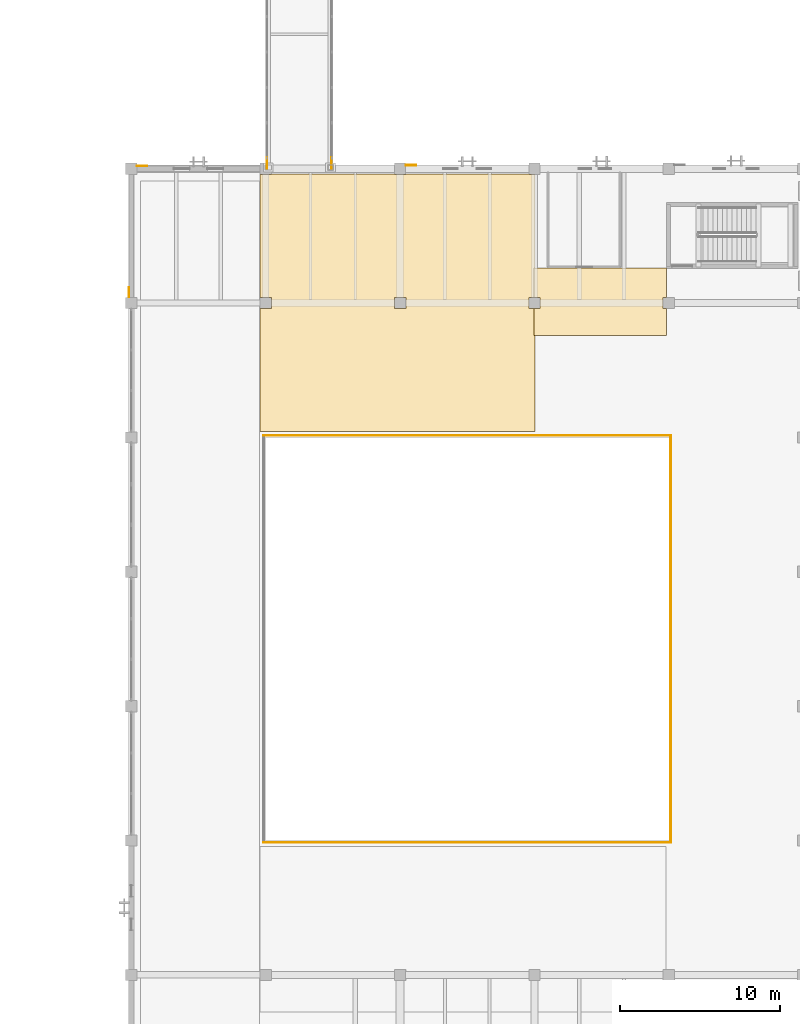
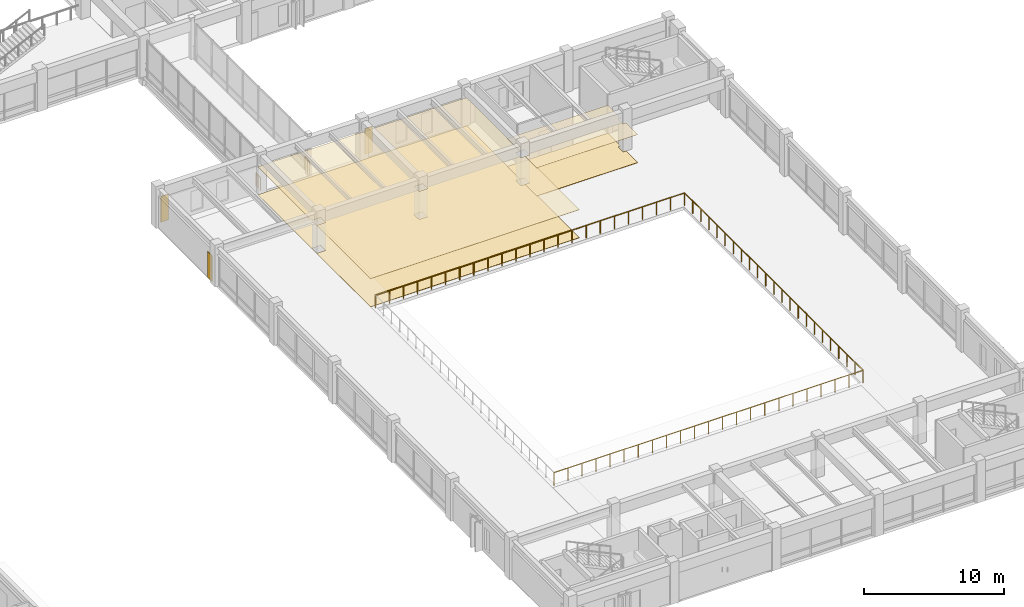
# One storey, part 113 of 118: 7 coverings, 5 railings.
"""IFC4 building model written with IfcOpenShell, lengths in metres."""

from ifc_helpers import new_model, si_unit, direction, frame, origin, origin_2d, place, context, subcontext, project, spatial, polyline, circle, outline, extrude, material, layer, layer_set, type_object, element, save


model = new_model("IFC4")

# Units and contexts
model_context = context("Model", 3, precision=1e-05, world=origin(), true_north=direction((0.0, 1.0)))
body_context = subcontext(model_context, "Body", "Model", "MODEL_VIEW")
ifc_project = project(units=[si_unit("LENGTHUNIT", "METRE"), si_unit("AREAUNIT", "SQUARE_METRE"), si_unit("VOLUMEUNIT", "CUBIC_METRE"), si_unit("PLANEANGLEUNIT", "RADIAN"), si_unit("MASSUNIT", "GRAM", prefix="KILO")], contexts=[model_context])

# Site, building, storey
site_placement = place(None, origin())
site = spatial("IfcSite", under=ifc_project, at=site_placement, CompositionType="ELEMENT")
building_placement = place(site_placement, origin())
building = spatial("IfcBuilding", under=site, at=building_placement, Name="Cumbredor Promenade Congress Hotel", CompositionType="ELEMENT")
storey_placement = place(building_placement, frame((0.0, 0.0, 3.919921875)))
storey = spatial("IfcBuildingStorey", under=building, at=storey_placement, Name="L01", CompositionType="ELEMENT", Elevation=3.919921875)

# Coverings
ifc_material_1 = material(Name="Acoustic mineral-fiber and gypsum ceiling")
ifc_layer_1 = layer(ifc_material_1, 0.01806640625, Name="Acoustic mineral-fiber and gypsum ceiling")
ifc_layer_set_1 = layer_set([ifc_layer_1], Name="Acoustic mineral-fiber and gypsum ceiling")
covering_type_1 = type_object("IfcCoveringType", Name="Acoustic Perforated Gypsum Ceiling CLG-01 18mm", PredefinedType="CEILING", material=ifc_layer_set_1)
covering_1_placement = place(storey_placement, frame((0.0, 0.0, 2.443115234375)))
element("IfcCovering", 1, at=covering_1_placement, inside=storey, type_object=covering_type_1, Name="L01 Ballroom North Mezzanine Corridor Acoustic Ceiling", PredefinedType="CEILING", context=body_context, shape_type="SweptSolid", body=[
    extrude(outline(polyline([(168.35498046875, 58.445068359375), (168.35498046875, 59.155029296875), (167.97998046875, 59.155029296875), (167.97998046875, 61.0), (176.27001953125, 61.0), (176.27001953125, 59.155029296875), (176.044921875, 59.155029296875), (176.044921875, 58.445068359375), (176.27001953125, 58.445068359375), (176.27001953125, 56.780029296875), (167.97998046875, 56.780029296875), (167.97998046875, 58.445068359375), (168.35498046875, 58.445068359375)])), origin(), (0.0, 0.0, 1.0), 0.01806640625),
])
ifc_layer_2 = layer(ifc_material_1, 0.031982421875, Name="Acoustic mineral-fiber and gypsum ceiling")
ifc_layer_set_2 = layer_set([ifc_layer_2], Name="Acoustic mineral-fiber and gypsum ceiling")
covering_type_2 = type_object("IfcCoveringType", Name="Acoustic Perforated Gypsum Ceiling CLG-04 32mm", PredefinedType="CEILING", material=ifc_layer_set_2)
covering_2_placement = place(storey_placement, frame((0.0, 0.0, 2.42919921875)))
element("IfcCovering", 2, at=covering_2_placement, inside=storey, type_object=covering_type_2, Name="L01 North Court Reception Salon Acoustic Ceiling", PredefinedType="CEILING", context=body_context, shape_type="SweptSolid", body=[
    extrude(outline(polyline([(159.2451171875, 66.8701171875), (159.2451171875, 66.844970703125), (159.955078125, 66.844970703125), (159.955078125, 66.8701171875), (167.64501953125, 66.8701171875), (167.64501953125, 66.844970703125), (168.02001953125, 66.844970703125), (168.02001953125, 59.155029296875), (167.64501953125, 59.155029296875), (167.64501953125, 58.445068359375), (168.02001953125, 58.445068359375), (168.02001953125, 50.780029296875), (150.830078125, 50.780029296875), (150.830078125, 66.8701171875), (150.844970703125, 66.8701171875), (150.844970703125, 66.844970703125), (151.554931640625, 66.844970703125), (151.554931640625, 66.8701171875), (159.2451171875, 66.8701171875)]), holes=[polyline([(150.844970703125, 59.155029296875), (150.844970703125, 58.445068359375), (151.554931640625, 58.445068359375), (151.554931640625, 59.155029296875), (150.844970703125, 59.155029296875)]), polyline([(159.955078125, 58.445068359375), (159.955078125, 59.155029296875), (159.2451171875, 59.155029296875), (159.2451171875, 58.445068359375), (159.955078125, 58.445068359375)])]), origin(), (0.0, 0.0, 1.0), 0.031982421875),
])
ifc_material_2 = material(Name="Precast concrete C40/50", Category="concrete")
ifc_layer_3 = layer(ifc_material_2, 0.044921875, Name="Precast concrete C40/50", Category="concrete")
ifc_layer_set_3 = layer_set([ifc_layer_3], Name="Precast concrete C40/50")
covering_type_3 = type_object("IfcCoveringType", Name="Board-Formed Architectural Cladding Panel 45mm", PredefinedType="CLADDING", material=ifc_layer_set_3)
covering_3_placement = place(storey_placement, origin())
element("IfcCovering", 3, at=covering_3_placement, inside=storey, type_object=covering_type_3, Name="L01 Facade Stone Cladding Pier 056", PredefinedType="CLADDING", context=body_context, shape_type="SweptSolid", body=[
    extrude(outline(polyline([(159.950927734375, 67.389892578125), (160.60107421875, 67.389892578125), (160.60107421875, 67.43505859375), (159.950927734375, 67.43505859375), (159.950927734375, 67.389892578125)])), origin(), (0.0, 0.0, 1.0), 2.25),
])

# Railings
ifc_material_3 = material(Name="Brushed stainless steel", Category="steel")
railing_type_1 = type_object("IfcRailingType", Name="Interior Void & Stair Guardrail GR-1100", PredefinedType="GUARDRAIL", material=ifc_material_3)
railing_1_placement = place(storey_placement, frame((151.080078125, 25.080078125, 0.0)))
element("IfcRailing", 4, at=railing_1_placement, inside=storey, type_object=railing_type_1, Name="L01 v2_ballroom_void Void Perimeter Guardrail 1", PredefinedType="GUARDRAIL", context=body_context, shape_type="SweptSolid", body=[
    extrude(circle(Radius=0.02392578125, at=origin_2d()), frame((0.0, 0.0, 1.09619140625), z_axis=(1.0, 0.0, 0.0), x_axis=(0.0, 1.0, 0.0)), (0.0, 0.0, 1.0), 25.43994140625),
    extrude(circle(Radius=0.02099609375, at=origin_2d()), origin(), (0.0, 0.0, 1.0), 1.072021484375),
    extrude(circle(Radius=0.02099609375, at=origin_2d()), frame((1.15625, 0.0, 0.0)), (0.0, 0.0, 1.0), 1.072021484375),
    extrude(circle(Radius=0.02099609375, at=origin_2d()), frame((2.312744140625, 0.0, 0.0)), (0.0, 0.0, 1.0), 1.072021484375),
    extrude(circle(Radius=0.02099609375, at=origin_2d()), frame((3.468994140625, 0.0, 0.0)), (0.0, 0.0, 1.0), 1.072021484375),
    extrude(circle(Radius=0.02099609375, at=origin_2d()), frame((4.62548828125, 0.0, 0.0)), (0.0, 0.0, 1.0), 1.072021484375),
    extrude(circle(Radius=0.02099609375, at=origin_2d()), frame((5.78173828125, 0.0, 0.0)), (0.0, 0.0, 1.0), 1.072021484375),
    extrude(circle(Radius=0.02099609375, at=origin_2d()), frame((6.938232421875, 0.0, 0.0)), (0.0, 0.0, 1.0), 1.072021484375),
    extrude(circle(Radius=0.02099609375, at=origin_2d()), frame((8.094482421875, 0.0, 0.0)), (0.0, 0.0, 1.0), 1.072021484375),
    extrude(circle(Radius=0.02099609375, at=origin_2d()), frame((9.2509765625, 0.0, 0.0)), (0.0, 0.0, 1.0), 1.072021484375),
    extrude(circle(Radius=0.02099609375, at=origin_2d()), frame((10.4072265625, 0.0, 0.0)), (0.0, 0.0, 1.0), 1.072021484375),
    extrude(circle(Radius=0.02099609375, at=origin_2d()), frame((11.563720703125, 0.0, 0.0)), (0.0, 0.0, 1.0), 1.072021484375),
    extrude(circle(Radius=0.02099609375, at=origin_2d()), frame((12.719970703125, 0.0, 0.0)), (0.0, 0.0, 1.0), 1.072021484375),
    extrude(circle(Radius=0.02099609375, at=origin_2d()), frame((13.876220703125, 0.0, 0.0)), (0.0, 0.0, 1.0), 1.072021484375),
    extrude(circle(Radius=0.02099609375, at=origin_2d()), frame((15.03271484375, 0.0, 0.0)), (0.0, 0.0, 1.0), 1.072021484375),
    extrude(circle(Radius=0.02099609375, at=origin_2d()), frame((16.18896484375, 0.0, 0.0)), (0.0, 0.0, 1.0), 1.072021484375),
    extrude(circle(Radius=0.02099609375, at=origin_2d()), frame((17.345458984375, 0.0, 0.0)), (0.0, 0.0, 1.0), 1.072021484375),
    extrude(circle(Radius=0.02099609375, at=origin_2d()), frame((18.501708984375, 0.0, 0.0)), (0.0, 0.0, 1.0), 1.072021484375),
    extrude(circle(Radius=0.02099609375, at=origin_2d()), frame((19.658203125, 0.0, 0.0)), (0.0, 0.0, 1.0), 1.072021484375),
    extrude(circle(Radius=0.02099609375, at=origin_2d()), frame((20.814453125, 0.0, 0.0)), (0.0, 0.0, 1.0), 1.072021484375),
    extrude(circle(Radius=0.02099609375, at=origin_2d()), frame((21.970947265625, 0.0, 0.0)), (0.0, 0.0, 1.0), 1.072021484375),
    extrude(circle(Radius=0.02099609375, at=origin_2d()), frame((23.127197265625, 0.0, 0.0)), (0.0, 0.0, 1.0), 1.072021484375),
    extrude(circle(Radius=0.02099609375, at=origin_2d()), frame((24.28369140625, 0.0, 0.0)), (0.0, 0.0, 1.0), 1.072021484375),
    extrude(circle(Radius=0.02099609375, at=origin_2d()), frame((25.43994140625, 0.0, 0.0)), (0.0, 0.0, 1.0), 1.072021484375),
])
railing_2_placement = place(storey_placement, frame((176.52001953125, 25.080078125, 0.0)))
element("IfcRailing", 5, at=railing_2_placement, inside=storey, type_object=railing_type_1, Name="L01 v2_ballroom_void Void Perimeter Guardrail 2", PredefinedType="GUARDRAIL", context=body_context, shape_type="SweptSolid", body=[
    extrude(circle(Radius=0.02392578125, at=origin_2d()), frame((0.0, 0.0, 1.09619140625), z_axis=(0.0, 1.0, 0.0), x_axis=(-1.0, 0.0, 0.0)), (0.0, 0.0, 1.0), 25.43994140625),
    extrude(circle(Radius=0.02099609375, at=origin_2d()), origin(), (0.0, 0.0, 1.0), 1.072021484375),
    extrude(circle(Radius=0.02099609375, at=origin_2d()), frame((0.0, 1.15625, 0.0)), (0.0, 0.0, 1.0), 1.072021484375),
    extrude(circle(Radius=0.02099609375, at=origin_2d()), frame((0.0, 2.312744140625, 0.0)), (0.0, 0.0, 1.0), 1.072021484375),
    extrude(circle(Radius=0.02099609375, at=origin_2d()), frame((0.0, 3.468994140625, 0.0)), (0.0, 0.0, 1.0), 1.072021484375),
    extrude(circle(Radius=0.02099609375, at=origin_2d()), frame((0.0, 4.62548828125, 0.0)), (0.0, 0.0, 1.0), 1.072021484375),
    extrude(circle(Radius=0.02099609375, at=origin_2d()), frame((0.0, 5.78173828125, 0.0)), (0.0, 0.0, 1.0), 1.072021484375),
    extrude(circle(Radius=0.02099609375, at=origin_2d()), frame((0.0, 6.938232421875, 0.0)), (0.0, 0.0, 1.0), 1.072021484375),
    extrude(circle(Radius=0.02099609375, at=origin_2d()), frame((0.0, 8.094482421875, 0.0)), (0.0, 0.0, 1.0), 1.072021484375),
    extrude(circle(Radius=0.02099609375, at=origin_2d()), frame((0.0, 9.2509765625, 0.0)), (0.0, 0.0, 1.0), 1.072021484375),
    extrude(circle(Radius=0.02099609375, at=origin_2d()), frame((0.0, 10.4072265625, 0.0)), (0.0, 0.0, 1.0), 1.072021484375),
    extrude(circle(Radius=0.02099609375, at=origin_2d()), frame((0.0, 11.563720703125, 0.0)), (0.0, 0.0, 1.0), 1.072021484375),
    extrude(circle(Radius=0.02099609375, at=origin_2d()), frame((0.0, 12.719970703125, 0.0)), (0.0, 0.0, 1.0), 1.072021484375),
    extrude(circle(Radius=0.02099609375, at=origin_2d()), frame((0.0, 13.876220703125, 0.0)), (0.0, 0.0, 1.0), 1.072021484375),
    extrude(circle(Radius=0.02099609375, at=origin_2d()), frame((0.0, 15.03271484375, 0.0)), (0.0, 0.0, 1.0), 1.072021484375),
    extrude(circle(Radius=0.02099609375, at=origin_2d()), frame((0.0, 16.18896484375, 0.0)), (0.0, 0.0, 1.0), 1.072021484375),
    extrude(circle(Radius=0.02099609375, at=origin_2d()), frame((0.0, 17.345458984375, 0.0)), (0.0, 0.0, 1.0), 1.072021484375),
    extrude(circle(Radius=0.02099609375, at=origin_2d()), frame((0.0, 18.501708984375, 0.0)), (0.0, 0.0, 1.0), 1.072021484375),
    extrude(circle(Radius=0.02099609375, at=origin_2d()), frame((0.0, 19.658203125, 0.0)), (0.0, 0.0, 1.0), 1.072021484375),
    extrude(circle(Radius=0.02099609375, at=origin_2d()), frame((0.0, 20.814453125, 0.0)), (0.0, 0.0, 1.0), 1.072021484375),
    extrude(circle(Radius=0.02099609375, at=origin_2d()), frame((0.0, 21.970947265625, 0.0)), (0.0, 0.0, 1.0), 1.072021484375),
    extrude(circle(Radius=0.02099609375, at=origin_2d()), frame((0.0, 23.127197265625, 0.0)), (0.0, 0.0, 1.0), 1.072021484375),
    extrude(circle(Radius=0.02099609375, at=origin_2d()), frame((0.0, 24.28369140625, 0.0)), (0.0, 0.0, 1.0), 1.072021484375),
    extrude(circle(Radius=0.02099609375, at=origin_2d()), frame((0.0, 25.43994140625, 0.0)), (0.0, 0.0, 1.0), 1.072021484375),
])
railing_3_placement = place(storey_placement, frame((176.52001953125, 50.52001953125, 0.0)))
element("IfcRailing", 6, at=railing_3_placement, inside=storey, type_object=railing_type_1, Name="L01 v2_ballroom_void Void Perimeter Guardrail 3", PredefinedType="GUARDRAIL", context=body_context, shape_type="SweptSolid", body=[
    extrude(circle(Radius=0.02392578125, at=origin_2d()), frame((0.0, 0.0, 1.09619140625), z_axis=(-1.0, 0.0, 0.0), x_axis=(0.0, -1.0, 0.0)), (0.0, 0.0, 1.0), 25.43994140625),
    extrude(circle(Radius=0.02099609375, at=origin_2d()), origin(), (0.0, 0.0, 1.0), 1.072021484375),
    extrude(circle(Radius=0.02099609375, at=origin_2d()), frame((-1.15625, 0.0, 0.0)), (0.0, 0.0, 1.0), 1.072021484375),
    extrude(circle(Radius=0.02099609375, at=origin_2d()), frame((-2.312744140625, 0.0, 0.0)), (0.0, 0.0, 1.0), 1.072021484375),
    extrude(circle(Radius=0.02099609375, at=origin_2d()), frame((-3.468994140625, 0.0, 0.0)), (0.0, 0.0, 1.0), 1.072021484375),
    extrude(circle(Radius=0.02099609375, at=origin_2d()), frame((-4.62548828125, 0.0, 0.0)), (0.0, 0.0, 1.0), 1.072021484375),
    extrude(circle(Radius=0.02099609375, at=origin_2d()), frame((-5.78173828125, 0.0, 0.0)), (0.0, 0.0, 1.0), 1.072021484375),
    extrude(circle(Radius=0.02099609375, at=origin_2d()), frame((-6.938232421875, 0.0, 0.0)), (0.0, 0.0, 1.0), 1.072021484375),
    extrude(circle(Radius=0.02099609375, at=origin_2d()), frame((-8.094482421875, 0.0, 0.0)), (0.0, 0.0, 1.0), 1.072021484375),
    extrude(circle(Radius=0.02099609375, at=origin_2d()), frame((-9.2509765625, 0.0, 0.0)), (0.0, 0.0, 1.0), 1.072021484375),
    extrude(circle(Radius=0.02099609375, at=origin_2d()), frame((-10.4072265625, 0.0, 0.0)), (0.0, 0.0, 1.0), 1.072021484375),
    extrude(circle(Radius=0.02099609375, at=origin_2d()), frame((-11.563720703125, 0.0, 0.0)), (0.0, 0.0, 1.0), 1.072021484375),
    extrude(circle(Radius=0.02099609375, at=origin_2d()), frame((-12.719970703125, 0.0, 0.0)), (0.0, 0.0, 1.0), 1.072021484375),
    extrude(circle(Radius=0.02099609375, at=origin_2d()), frame((-13.876220703125, 0.0, 0.0)), (0.0, 0.0, 1.0), 1.072021484375),
    extrude(circle(Radius=0.02099609375, at=origin_2d()), frame((-15.03271484375, 0.0, 0.0)), (0.0, 0.0, 1.0), 1.072021484375),
    extrude(circle(Radius=0.02099609375, at=origin_2d()), frame((-16.18896484375, 0.0, 0.0)), (0.0, 0.0, 1.0), 1.072021484375),
    extrude(circle(Radius=0.02099609375, at=origin_2d()), frame((-17.345458984375, 0.0, 0.0)), (0.0, 0.0, 1.0), 1.072021484375),
    extrude(circle(Radius=0.02099609375, at=origin_2d()), frame((-18.501708984375, 0.0, 0.0)), (0.0, 0.0, 1.0), 1.072021484375),
    extrude(circle(Radius=0.02099609375, at=origin_2d()), frame((-19.658203125, 0.0, 0.0)), (0.0, 0.0, 1.0), 1.072021484375),
    extrude(circle(Radius=0.02099609375, at=origin_2d()), frame((-20.814453125, 0.0, 0.0)), (0.0, 0.0, 1.0), 1.072021484375),
    extrude(circle(Radius=0.02099609375, at=origin_2d()), frame((-21.970947265625, 0.0, 0.0)), (0.0, 0.0, 1.0), 1.072021484375),
    extrude(circle(Radius=0.02099609375, at=origin_2d()), frame((-23.127197265625, 0.0, 0.0)), (0.0, 0.0, 1.0), 1.072021484375),
    extrude(circle(Radius=0.02099609375, at=origin_2d()), frame((-24.28369140625, 0.0, 0.0)), (0.0, 0.0, 1.0), 1.072021484375),
    extrude(circle(Radius=0.02099609375, at=origin_2d()), frame((-25.43994140625, 0.0, 0.0)), (0.0, 0.0, 1.0), 1.072021484375),
])

# Coverings
ifc_material_4 = material(Name="Porcelain stoneware tile", Category="masonry")
ifc_layer_4 = layer(ifc_material_4, 0.02001953125, Name="Porcelain stoneware tile", Category="masonry")
ifc_layer_set_4 = layer_set([ifc_layer_4], Name="Porcelain stoneware tile")
covering_type_4 = type_object("IfcCoveringType", Name="Porcelain Stoneware Flooring FLR-01 20mm", PredefinedType="FLOORING", material=ifc_layer_set_4)
covering_4_placement = place(storey_placement, origin())
element("IfcCovering", 7, at=covering_4_placement, inside=storey, type_object=covering_type_4, Name="L01 North Court Reception Salon Porcelain Flooring", PredefinedType="FLOORING", context=body_context, shape_type="SweptSolid", body=[
    extrude(outline(polyline([(159.2451171875, 66.8701171875), (159.2451171875, 66.844970703125), (159.955078125, 66.844970703125), (159.955078125, 66.8701171875), (167.64501953125, 66.8701171875), (167.64501953125, 66.844970703125), (168.02001953125, 66.844970703125), (168.02001953125, 59.155029296875), (167.64501953125, 59.155029296875), (167.64501953125, 58.445068359375), (168.02001953125, 58.445068359375), (168.02001953125, 50.780029296875), (150.830078125, 50.780029296875), (150.830078125, 66.8701171875), (150.844970703125, 66.8701171875), (150.844970703125, 66.844970703125), (151.554931640625, 66.844970703125), (151.554931640625, 66.8701171875), (159.2451171875, 66.8701171875)]), holes=[polyline([(150.844970703125, 59.155029296875), (150.844970703125, 58.445068359375), (151.554931640625, 58.445068359375), (151.554931640625, 59.155029296875), (150.844970703125, 59.155029296875)]), polyline([(159.955078125, 58.445068359375), (159.955078125, 59.155029296875), (159.2451171875, 59.155029296875), (159.2451171875, 58.445068359375), (159.955078125, 58.445068359375)])]), origin(), (0.0, 0.0, 1.0), 0.02001953125),
])
ifc_layer_5 = layer(ifc_material_4, 0.02490234375, Name="Porcelain stoneware tile", Category="masonry")
ifc_layer_set_5 = layer_set([ifc_layer_5], Name="Porcelain stoneware tile")
covering_type_5 = type_object("IfcCoveringType", Name="Porcelain Stoneware Flooring FLR-02 25mm", PredefinedType="FLOORING", material=ifc_layer_set_5)
covering_5_placement = place(storey_placement, origin())
element("IfcCovering", 8, at=covering_5_placement, inside=storey, type_object=covering_type_5, Name="L01 Ballroom North Mezzanine Corridor Porcelain Flooring", PredefinedType="FLOORING", context=body_context, shape_type="SweptSolid", body=[
    extrude(outline(polyline([(168.35498046875, 58.445068359375), (168.35498046875, 59.155029296875), (167.97998046875, 59.155029296875), (167.97998046875, 61.0), (176.27001953125, 61.0), (176.27001953125, 59.155029296875), (176.044921875, 59.155029296875), (176.044921875, 58.445068359375), (176.27001953125, 58.445068359375), (176.27001953125, 56.780029296875), (167.97998046875, 56.780029296875), (167.97998046875, 58.445068359375), (168.35498046875, 58.445068359375)])), origin(), (0.0, 0.0, 1.0), 0.025146484375),
])

# Railings
railing_type_2 = type_object("IfcRailingType", Name="Sky Garden Glass-and-Steel Balustrade BAL-1150", PredefinedType="BALUSTRADE", material=ifc_material_3)
for number, where, name in (
    (9, (151.280029296875, 67.22998046875, 0.0), "L01 East Ballroom-to-Forum Glazed Bridge End Guardrail SW"),
    (10, (155.320068359375, 67.22998046875, 0.0), "L01 East Ballroom-to-Forum Glazed Bridge End Guardrail SE"),
):
    element("IfcRailing", number, at=place(storey_placement, frame(where)), inside=storey, type_object=railing_type_2, Name=name, PredefinedType="BALUSTRADE", context=body_context, shape_type="SweptSolid", body=[
        extrude(circle(Radius=0.02392578125, at=origin_2d()), frame((0.0, 0.0, 1.1259765625), z_axis=(0.0, 1.0, 0.0), x_axis=(-1.0, 0.0, 0.0)), (0.0, 0.0, 1.0), 0.669921875),
        extrude(circle(Radius=0.02099609375, at=origin_2d()), origin(), (0.0, 0.0, 1.0), 1.101806640625),
        extrude(circle(Radius=0.02099609375, at=origin_2d()), frame((0.0, 0.3349609375, 0.0)), (0.0, 0.0, 1.0), 1.101806640625),
        extrude(circle(Radius=0.02099609375, at=origin_2d()), frame((0.0, 0.669921875, 0.0)), (0.0, 0.0, 1.0), 1.101806640625),
    ])

# Coverings
ifc_material_5 = material(Name="Volcanic andesite ashlar cladding", Category="masonry")
ifc_layer_6 = layer(ifc_material_5, 0.034912109375, Name="Volcanic andesite ashlar cladding", Category="masonry")
ifc_layer_set_6 = layer_set([ifc_layer_6], Name="Volcanic andesite ashlar cladding")
covering_type_6 = type_object("IfcCoveringType", Name="Volcanic Andesite Ashlar Rainscreen Cladding 35mm", PredefinedType="CLADDING", material=ifc_layer_set_6)
covering_6_placement = place(storey_placement, origin())
element("IfcCovering", 11, at=covering_6_placement, inside=storey, type_object=covering_type_6, Name="L01 Facade Stone Cladding Pier 055", PredefinedType="CLADDING", context=body_context, shape_type="SweptSolid", body=[
    extrude(outline(polyline([(143.15087890625, 67.362548828125), (143.801025390625, 67.362548828125), (143.801025390625, 67.3974609375), (143.15087890625, 67.3974609375), (143.15087890625, 67.362548828125)])), origin(), (0.0, 0.0, 1.0), 2.25),
])
covering_7_placement = place(storey_placement, origin())
element("IfcCovering", 12, at=covering_7_placement, inside=storey, type_object=covering_type_6, Name="L01 Facade Stone Cladding Pier 059", PredefinedType="CLADDING", context=body_context, shape_type="SweptSolid", body=[
    extrude(outline(polyline([(142.659912109375, 59.15087890625), (142.659912109375, 59.801025390625), (142.625, 59.801025390625), (142.625, 59.15087890625), (142.659912109375, 59.15087890625)])), origin(), (0.0, 0.0, 1.0), 2.25),
])

save(model, "model.ifc")
